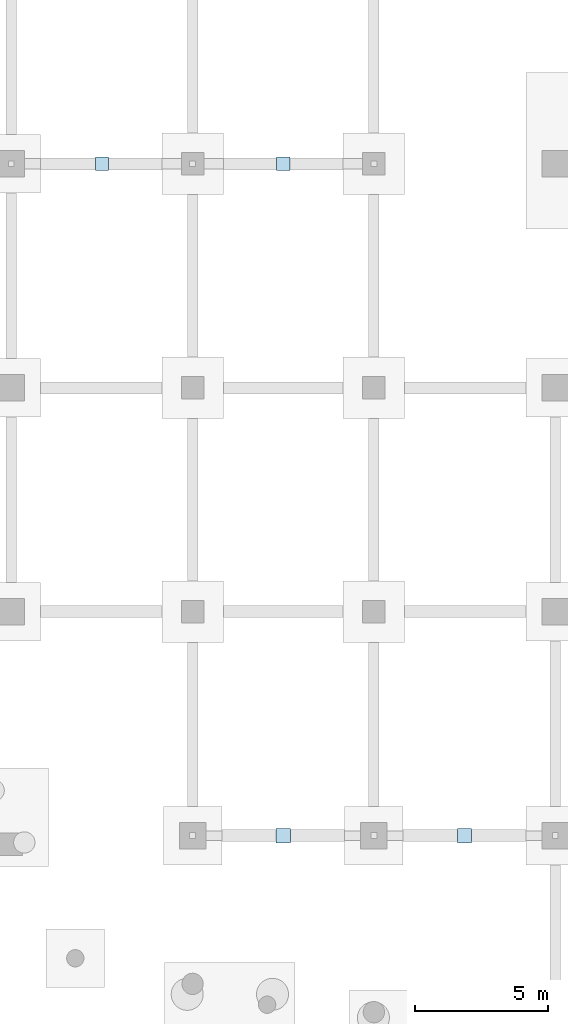
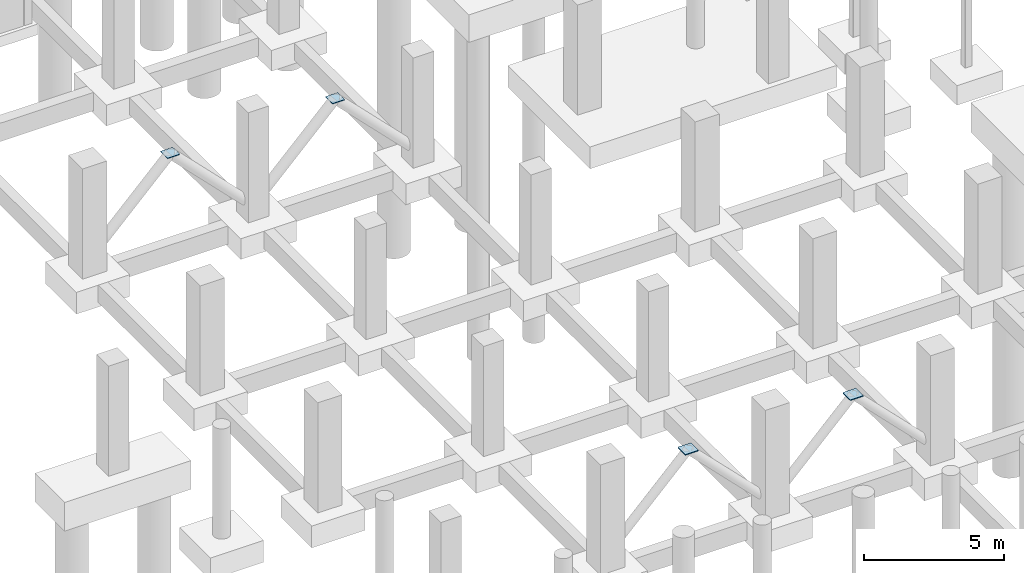
# One storey, part 31 of 44: 4 plates.
"""IFC4 building model written with IfcOpenShell, lengths in metres."""

from ifc_helpers import new_model, si_unit, direction, frame, origin, origin_2d, place, context, subcontext, project, spatial, rectangle, extrude, material, layer, layer_set, type_object, element, save


model = new_model("IFC4")

# Units and contexts
model_context = context("Model", 3, precision=1e-05, world=origin(), true_north=direction((0.0, 1.0)))
body_context = subcontext(model_context, "Body", "Model", "MODEL_VIEW")
ifc_project = project(units=[si_unit("LENGTHUNIT", "METRE"), si_unit("AREAUNIT", "SQUARE_METRE"), si_unit("VOLUMEUNIT", "CUBIC_METRE"), si_unit("PLANEANGLEUNIT", "RADIAN"), si_unit("MASSUNIT", "GRAM", prefix="KILO")], contexts=[model_context])

# Site, building, storey
site_placement = place(None, origin())
site = spatial("IfcSite", under=ifc_project, at=site_placement, CompositionType="ELEMENT")
building_placement = place(site_placement, origin())
building = spatial("IfcBuilding", under=site, at=building_placement, Name="Kisaragi Civic Commons", CompositionType="ELEMENT")
storey_placement = place(building_placement, frame((0.0, 0.0, -4.800048828125)))
storey = spatial("IfcBuildingStorey", under=building, at=storey_placement, Name="B1", CompositionType="ELEMENT", Elevation=-4.800048828125)

# Plates
ifc_material = material(Name="Steel SN490 (SN490B)", Category="steel")
ifc_layer_1 = layer(ifc_material, 0.0380859375, Name="Steel SN490 (SN490B)", Category="steel")
ifc_layer_set_1 = layer_set([ifc_layer_1], Name="Steel SN490 (SN490B)")
plate_type_1 = type_object("IfcPlateType", Name="GP-03", PredefinedType="SHEET", material=ifc_layer_set_1)
for number, where, z_axis, x_axis, name in (
    (1, (17.0, 8.39990234375, 3.81103515625), (0.0, 0.0, 1.0), (1.0, 0.0, 0.0), "B1 brace apex gusset plate GP-03 1"),
    (2, (23.800048828125, 8.39990234375, 3.81103515625), (0.0, 0.0, 1.0), (1.0, 0.0, 0.0), "B1 brace apex gusset plate GP-03 2"),
):
    element("IfcPlate", number, at=place(storey_placement, frame(where, z_axis=z_axis, x_axis=x_axis)), inside=storey, type_object=plate_type_1, Name=name, PredefinedType="SHEET", context=body_context, shape_type="SweptSolid", body=[
        extrude(rectangle(XDim=0.5400390625, YDim=0.5400390625, at=origin_2d()), origin(), (0.0, 0.0, 1.0), 0.0380859375),
    ])
ifc_layer_2 = layer(ifc_material, 0.030029296875, Name="Steel SN490 (SN490B)", Category="steel")
ifc_layer_set_2 = layer_set([ifc_layer_2], Name="Steel SN490 (SN490B)")
plate_type_2 = type_object("IfcPlateType", Name="GP-05", PredefinedType="SHEET", material=ifc_layer_set_2)
for number, where, z_axis, x_axis, name in (
    (3, (10.199951171875, 33.60009765625, 3.81494140625), (0.0, 0.0, 1.0), (1.0, 0.0, 0.0), "B1 brace apex gusset plate GP-05 3"),
    (4, (17.0, 33.60009765625, 3.81494140625), (0.0, 0.0, 1.0), (1.0, 0.0, 0.0), "B1 brace apex gusset plate GP-05 4"),
):
    element("IfcPlate", number, at=place(storey_placement, frame(where, z_axis=z_axis, x_axis=x_axis)), inside=storey, type_object=plate_type_2, Name=name, PredefinedType="SHEET", context=body_context, shape_type="SweptSolid", body=[
        extrude(rectangle(XDim=0.5, YDim=0.5, at=origin_2d()), origin(), (0.0, 0.0, 1.0), 0.030029296875),
    ])

save(model, "model.ifc")
